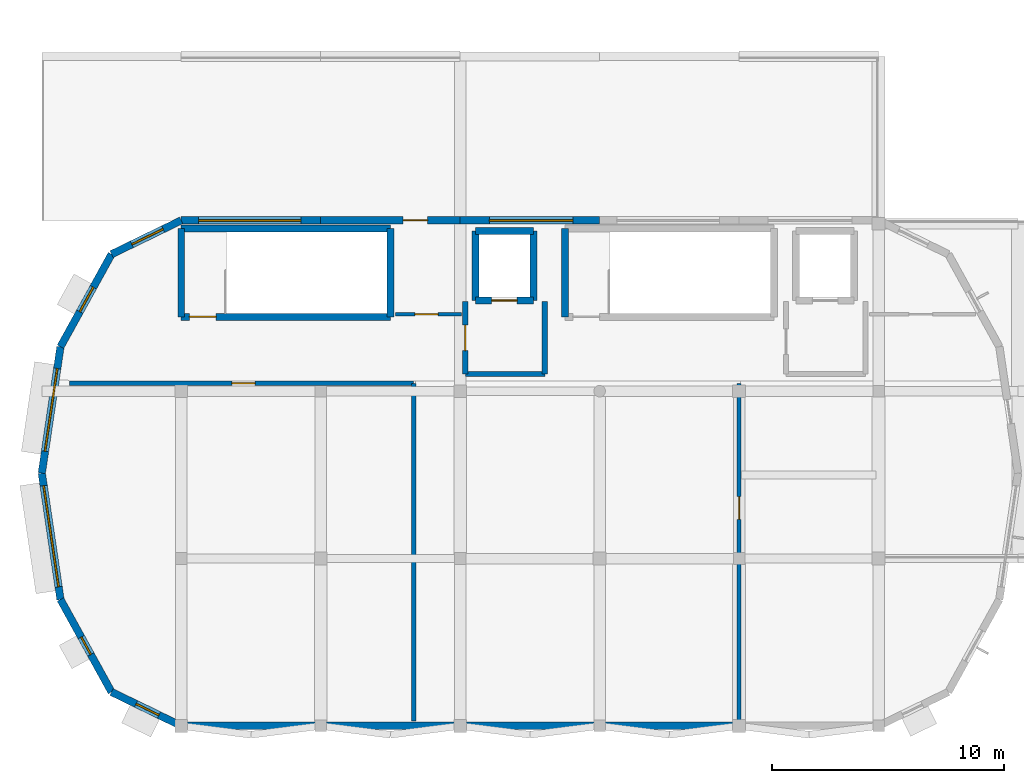
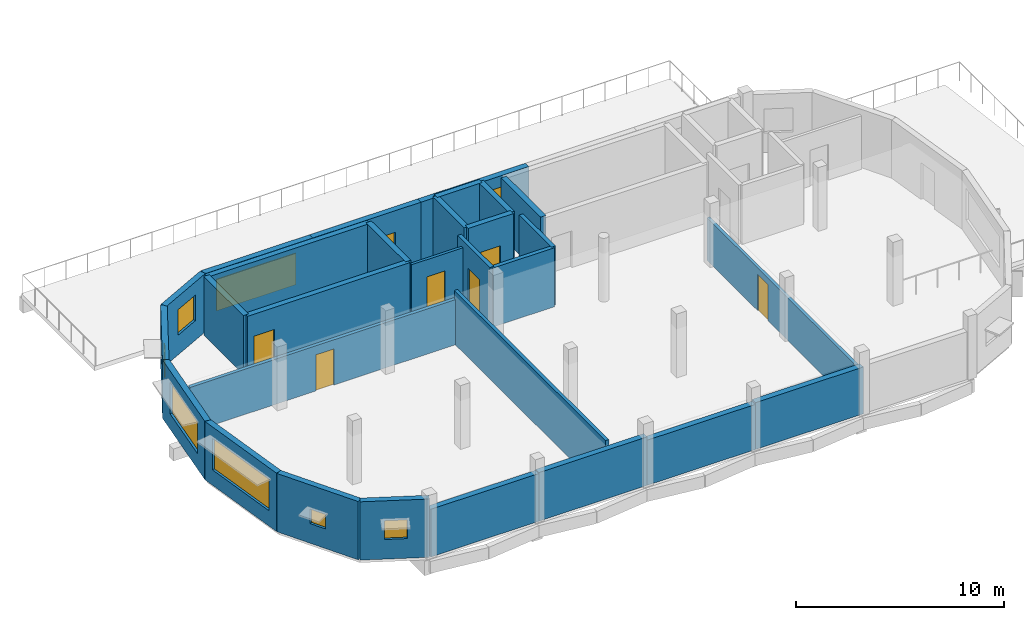
# One storey, part 2 of 4: 29 walls, 8 windows, 7 doors, 15 openings.
"""IFC4 building model written with IfcOpenShell, lengths in metres."""

from ifc_helpers import new_model, si_unit, direction, frame, frame_2d, origin, place, context, subcontext, project, spatial, rectangle, extrude, material, layer, layer_set, type_object, element, fill, save


model = new_model("IFC4")

# Units and contexts
model_context = context("Model", 3, precision=1e-05, world=origin(), true_north=direction((0.0, 1.0)))
body_context = subcontext(model_context, "Body", "Model", "MODEL_VIEW")
ifc_project = project(units=[si_unit("LENGTHUNIT", "METRE"), si_unit("AREAUNIT", "SQUARE_METRE"), si_unit("VOLUMEUNIT", "CUBIC_METRE"), si_unit("PLANEANGLEUNIT", "RADIAN"), si_unit("MASSUNIT", "GRAM", prefix="KILO")], contexts=[model_context])

# Site, building, storey
site_placement = place(None, origin())
site = spatial("IfcSite", under=ifc_project, at=site_placement, CompositionType="ELEMENT")
building_placement = place(site_placement, origin())
building = spatial("IfcBuilding", under=site, at=building_placement, Name="Dunvalen Ferry Terminal", CompositionType="ELEMENT")
storey_placement = place(building_placement, frame((0.0, 0.0, 17.320068359375)))
storey = spatial("IfcBuildingStorey", under=building, at=storey_placement, Name="L04", CompositionType="ELEMENT", Elevation=17.320068359375)

# Walls
ifc_material_1 = material(Name="Precast concrete C40/50", Category="concrete")
ifc_layer_1 = layer(ifc_material_1, 0.320068359375, Name="Precast concrete C40/50")
ifc_layer_set_1 = layer_set([ifc_layer_1], Name="Precast concrete C40/50")
wall_type_1 = type_object("IfcWallType", Name="ENV-WL-SPN320", PredefinedType="SOLIDWALL", material=ifc_layer_set_1)
wall_1_placement = place(storey_placement, frame((24.0, 0.0, 0.0), z_axis=(0.0, 0.0, 1.0), x_axis=(1.0, 0.0, 0.0)))
element("IfcWall", 1, at=wall_1_placement, inside=storey, type_object=wall_type_1, Name="L04 Streamline Moderne Facade Wall 01.01", PredefinedType="SOLIDWALL", context=body_context, shape_type="SweptSolid", body=[
    extrude(rectangle(XDim=6.0, YDim=0.320068359375, at=frame_2d((3.0, 0.0))), origin(), (0.0, 0.0, 1.0), 2.800048828125),
])
wall_2_placement = place(storey_placement, frame((30.0, 0.0, 0.0), z_axis=(0.0, 0.0, 1.0), x_axis=(1.0, 0.0, 0.0)))
element("IfcWall", 2, at=wall_2_placement, inside=storey, type_object=wall_type_1, Name="L04 Streamline Moderne Facade Wall 01.02", PredefinedType="SOLIDWALL", context=body_context, shape_type="SweptSolid", body=[
    extrude(rectangle(XDim=6.0, YDim=0.320068359375, at=frame_2d((3.0, 0.0))), origin(), (0.0, 0.0, 1.0), 2.849853515625),
])
wall_3_placement = place(storey_placement, frame((36.0, 0.0, 0.0), z_axis=(0.0, 0.0, 1.0), x_axis=(1.0, 0.0, 0.0)))
element("IfcWall", 3, at=wall_3_placement, inside=storey, type_object=wall_type_1, Name="L04 Streamline Moderne Facade Wall 01.03", PredefinedType="SOLIDWALL", context=body_context, shape_type="SweptSolid", body=[
    extrude(rectangle(XDim=6.0, YDim=0.320068359375, at=frame_2d((3.0, 0.0))), origin(), (0.0, 0.0, 1.0), 2.64990234375),
])
wall_4_placement = place(storey_placement, frame((42.0, 0.0, 0.0), z_axis=(0.0, 0.0, 1.0), x_axis=(1.0, 0.0, 0.0)))
element("IfcWall", 4, at=wall_4_placement, inside=storey, type_object=wall_type_1, Name="L04 Streamline Moderne Facade Wall 01.04", PredefinedType="SOLIDWALL", context=body_context, shape_type="SweptSolid", body=[
    extrude(rectangle(XDim=6.0, YDim=0.320068359375, at=frame_2d((3.0, 0.0))), origin(), (0.0, 0.0, 1.0), 2.75),
])

# Wall, opening, window
wall_5_placement = place(storey_placement, frame((42.0, 21.75, 0.0), z_axis=(0.0, 0.0, 1.0), x_axis=(-1.0, 0.0, 0.0)))
wall_5 = element("IfcWall", 5, at=wall_5_placement, inside=storey, type_object=wall_type_1, Name="L04 Streamline Moderne Facade Wall 08.03", PredefinedType="SOLIDWALL", context=body_context, shape_type="SweptSolid", body=[
    extrude(rectangle(XDim=6.0, YDim=0.320068359375, at=frame_2d((3.0, 0.0))), origin(), (0.0, 0.0, 1.0), 3.419921875),
])
opening_1_placement = place(wall_5_placement, frame((1.148193359375, 0.0, 0.89990234375)))
opening_1 = element("IfcOpeningElement", 6, at=opening_1_placement, cuts=wall_5, Name="Opening W-12", PredefinedType="OPENING", context=body_context, shape_type="SweptSolid", body=[
    extrude(rectangle(XDim=3.60009765625, YDim=1.85009765625, at=frame_2d((1.800048828125, 0.925048828125))), frame((0.0, 0.169921875, 0.0), z_axis=(0.0, -1.0, 0.0), x_axis=(1.0, 0.0, 0.0)), (0.0, 0.0, 1.0), 0.340087890625),
])
ifc_material_2 = material(Name="Thermally broken aluminium and double glazing", Category="aluminium")
window_type_1 = type_object("IfcWindowType", Name="ENV-WIN-VTS-12", PartitioningType="SINGLE_PANEL", PredefinedType="WINDOW", material=ifc_material_2)
window_1_placement = place(opening_1_placement, origin())
window_1 = element("IfcWindow", 7, at=window_1_placement, inside=storey, type_object=window_type_1, Name="L04 Streamline Ribbon Window 08.03", OverallHeight=1.85009765625, OverallWidth=3.60009765625, PartitioningType="SINGLE_PANEL", PredefinedType="WINDOW", context=body_context, shape_type="SweptSolid", body=[
    extrude(rectangle(XDim=3.60009765625, YDim=1.85009765625, at=frame_2d((1.800048828125, 0.925048828125))), frame((0.0, 0.030029296875, 0.0), z_axis=(0.0, -1.0, 0.0), x_axis=(1.0, 0.0, 0.0)), (0.0, 0.0, 1.0), 0.06005859375),
])
fill(opening_1, window_1)

# Wall, opening, door
wall_6_placement = place(storey_placement, frame((36.0, 21.75, 0.0), z_axis=(0.0, 0.0, 1.0), x_axis=(-1.0, 0.0, 0.0)))
wall_6 = element("IfcWall", 8, at=wall_6_placement, inside=storey, type_object=wall_type_1, Name="L04 Streamline Moderne Facade Wall 08.04", PredefinedType="SOLIDWALL", context=body_context, shape_type="SweptSolid", body=[
    extrude(rectangle(XDim=6.0, YDim=0.320068359375, at=frame_2d((3.0, 0.0))), origin(), (0.0, 0.0, 1.0), 3.419921875),
])
opening_2_placement = place(wall_6_placement, frame((1.39990234375, 0.0, 0.0)))
opening_2 = element("IfcOpeningElement", 9, at=opening_2_placement, cuts=wall_6, Name="Opening ED-07", PredefinedType="OPENING", context=body_context, shape_type="SweptSolid", body=[
    extrude(rectangle(XDim=1.050048828125, YDim=2.14990234375, at=frame_2d((0.52490234375, 1.074951171875))), frame((0.0, 0.169921875, 0.0), z_axis=(0.0, -1.0, 0.0), x_axis=(1.0, 0.0, 0.0)), (0.0, 0.0, 1.0), 0.340087890625),
])
ifc_material_3 = material(Name="Marine grade powder-coated aluminium and laminated glass", Category="aluminium")
door_type_1 = type_object("IfcDoorType", Name="ENV-DR-EXT-1050", OperationType="NOTDEFINED", PredefinedType="DOOR", material=ifc_material_3)
door_1_placement = place(opening_2_placement, frame((1.050048828125, 0.0, 0.0), z_axis=(0.0, 0.0, 1.0), x_axis=(-1.0, 0.0, 0.0)))
door_1 = element("IfcDoor", 10, at=door_1_placement, inside=storey, type_object=door_type_1, Name="L04 VTS Bridge Lookout Terrace Door 7.3", OperationType="SINGLE_SWING_LEFT", OverallHeight=2.14990234375, OverallWidth=1.050048828125, PredefinedType="DOOR", context=body_context, shape_type="SweptSolid", body=[
    extrude(rectangle(XDim=1.050048828125, YDim=2.14990234375, at=frame_2d((0.52490234375, 1.074951171875))), frame((0.0, 0.02490234375, 0.0), z_axis=(0.0, -1.0, 0.0), x_axis=(1.0, 0.0, 0.0)), (0.0, 0.0, 1.0), 0.050048828125),
])
fill(opening_2, door_1)

# Wall, opening, window
wall_7_placement = place(storey_placement, frame((30.0, 21.75, 0.0), z_axis=(0.0, 0.0, 1.0), x_axis=(-1.0, 0.0, 0.0)))
wall_7 = element("IfcWall", 11, at=wall_7_placement, inside=storey, type_object=wall_type_1, Name="L04 Streamline Moderne Facade Wall 08.05", PredefinedType="SOLIDWALL", context=body_context, shape_type="SweptSolid", body=[
    extrude(rectangle(XDim=6.0, YDim=0.320068359375, at=frame_2d((3.0, 0.0))), origin(), (0.0, 0.0, 1.0), 3.419921875),
])
opening_3_placement = place(wall_7_placement, frame((0.853271484375, 0.0, 0.89990234375)))
opening_3 = element("IfcOpeningElement", 12, at=opening_3_placement, cuts=wall_7, Name="Opening W-11", PredefinedType="OPENING", context=body_context, shape_type="SweptSolid", body=[
    extrude(rectangle(XDim=4.39990234375, YDim=1.85009765625, at=frame_2d((2.199951171875, 0.925048828125))), frame((0.0, 0.169921875, 0.0), z_axis=(0.0, -1.0, 0.0), x_axis=(1.0, 0.0, 0.0)), (0.0, 0.0, 1.0), 0.340087890625),
])
window_type_2 = type_object("IfcWindowType", Name="ENV-WIN-VTS-11", PartitioningType="SINGLE_PANEL", PredefinedType="WINDOW", material=ifc_material_2)
window_2_placement = place(opening_3_placement, origin())
window_2 = element("IfcWindow", 13, at=window_2_placement, inside=storey, type_object=window_type_2, Name="L04 Streamline Ribbon Window 08.05", OverallHeight=1.85009765625, OverallWidth=4.39990234375, PartitioningType="SINGLE_PANEL", PredefinedType="WINDOW", context=body_context, shape_type="SweptSolid", body=[
    extrude(rectangle(XDim=4.39990234375, YDim=1.85009765625, at=frame_2d((2.199951171875, 0.925048828125))), frame((0.0, 0.030029296875, 0.0), z_axis=(0.0, -1.0, 0.0), x_axis=(1.0, 0.0, 0.0)), (0.0, 0.0, 1.0), 0.06005859375),
])
fill(opening_3, window_2)

wall_8_placement = place(storey_placement, frame((24.0, 21.75, 0.0), z_axis=(0.0, 0.0, 1.0), x_axis=(-0.899521309608, -0.436876886046, 0.0)))
wall_8 = element("IfcWall", 14, at=wall_8_placement, inside=storey, type_object=wall_type_1, Name="L04 Streamline Moderne Facade Wall 09.01", PredefinedType="SOLIDWALL", context=body_context, shape_type="SweptSolid", body=[
    extrude(rectangle(XDim=3.335205078125, YDim=0.320068359375, at=frame_2d((1.66748046875, 0.0))), origin(), (0.0, 0.0, 1.0), 3.419921875),
])
opening_4_placement = place(wall_8_placement, frame((0.86328125, 0.0, 1.14990234375)))
opening_4 = element("IfcOpeningElement", 15, at=opening_4_placement, cuts=wall_8, Name="Opening W-44", PredefinedType="OPENING", context=body_context, shape_type="SweptSolid", body=[
    extrude(rectangle(XDim=1.5, YDim=1.5, at=frame_2d((0.75, 0.75))), frame((0.0, 0.169921875, 0.0), z_axis=(0.0, -1.0, 0.0), x_axis=(1.0, 0.0, 0.0)), (0.0, 0.0, 1.0), 0.340087890625),
])
window_type_3 = type_object("IfcWindowType", Name="ENV-WIN-PRT-44", PartitioningType="SINGLE_PANEL", PredefinedType="WINDOW", material=ifc_material_2)
window_3_placement = place(opening_4_placement, origin())
window_3 = element("IfcWindow", 16, at=window_3_placement, inside=storey, type_object=window_type_3, Name="L04 Streamline Ribbon Window 09.01", OverallHeight=1.5, OverallWidth=1.5, PartitioningType="SINGLE_PANEL", PredefinedType="WINDOW", context=body_context, shape_type="SweptSolid", body=[
    extrude(rectangle(XDim=1.5, YDim=1.5, at=frame_2d((0.75, 0.75))), frame((0.0, 0.030029296875, 0.0), z_axis=(0.0, -1.0, 0.0), x_axis=(1.0, 0.0, 0.0)), (0.0, 0.0, 1.0), 0.06005859375),
])
fill(opening_4, window_3)

wall_9_placement = place(storey_placement, frame((21.0, 20.29296875, 0.0), z_axis=(0.0, 0.0, 1.0), x_axis=(-0.483105735842, -0.875562018361, 0.0)))
wall_9 = element("IfcWall", 17, at=wall_9_placement, inside=storey, type_object=wall_type_1, Name="L04 Streamline Moderne Facade Wall 10.01", PredefinedType="SOLIDWALL", context=body_context, shape_type="SweptSolid", body=[
    extrude(rectangle(XDim=4.546142578125, YDim=0.320068359375, at=frame_2d((2.27294921875, 0.0))), origin(), (0.0, 0.0, 1.0), 3.419921875),
])
opening_5_placement = place(wall_9_placement, frame((1.623046875, 0.0, 1.14990234375)))
opening_5 = element("IfcOpeningElement", 18, at=opening_5_placement, cuts=wall_9, Name="Opening W-17", PredefinedType="OPENING", context=body_context, shape_type="SweptSolid", body=[
    extrude(rectangle(XDim=1.199951171875, YDim=1.199951171875, at=frame_2d((0.60009765625, 0.60009765625))), frame((0.0, 0.169921875, 0.0), z_axis=(0.0, -1.0, 0.0), x_axis=(1.0, 0.0, 0.0)), (0.0, 0.0, 1.0), 0.340087890625),
])
window_type_4 = type_object("IfcWindowType", Name="ENV-WIN-PRT-17", PartitioningType="SINGLE_PANEL", PredefinedType="WINDOW", material=ifc_material_2)
window_4_placement = place(opening_5_placement, origin())
window_4 = element("IfcWindow", 19, at=window_4_placement, inside=storey, type_object=window_type_4, Name="L04 Streamline Ribbon Window 10.01", OverallHeight=1.199951171875, OverallWidth=1.199951171875, PartitioningType="SINGLE_PANEL", PredefinedType="WINDOW", context=body_context, shape_type="SweptSolid", body=[
    extrude(rectangle(XDim=1.199951171875, YDim=1.199951171875, at=frame_2d((0.60009765625, 0.60009765625))), frame((0.0, 0.030029296875, 0.0), z_axis=(0.0, -1.0, 0.0), x_axis=(1.0, 0.0, 0.0)), (0.0, 0.0, 1.0), 0.06005859375),
])
fill(opening_5, window_4)

wall_10_placement = place(storey_placement, frame((18.8037109375, 16.3125, 0.0), z_axis=(0.0, 0.0, 1.0), x_axis=(-0.146220266432, -0.98925205771, 0.0)))
wall_10 = element("IfcWall", 20, at=wall_10_placement, inside=storey, type_object=wall_type_1, Name="L04 Streamline Moderne Facade Wall 11.01", PredefinedType="SOLIDWALL", context=body_context, shape_type="SweptSolid", body=[
    extrude(rectangle(XDim=5.49658203125, YDim=0.320068359375, at=frame_2d((2.748291015625, 0.0))), origin(), (0.0, 0.0, 1.0), 3.419921875),
])
opening_6_placement = place(wall_10_placement, frame((0.9482421875, 0.0, 0.89990234375)))
opening_6 = element("IfcOpeningElement", 21, at=opening_6_placement, cuts=wall_10, Name="Opening W-12", PredefinedType="OPENING", context=body_context, shape_type="SweptSolid", body=[
    extrude(rectangle(XDim=3.60009765625, YDim=1.85009765625, at=frame_2d((1.800048828125, 0.925048828125))), frame((0.0, 0.169921875, 0.0), z_axis=(0.0, -1.0, 0.0), x_axis=(1.0, 0.0, 0.0)), (0.0, 0.0, 1.0), 0.340087890625),
])
window_5_placement = place(opening_6_placement, origin())
window_5 = element("IfcWindow", 22, at=window_5_placement, inside=storey, type_object=window_type_1, Name="L04 Streamline Ribbon Window 11.01", OverallHeight=1.85009765625, OverallWidth=3.60009765625, PartitioningType="SINGLE_PANEL", PredefinedType="WINDOW", context=body_context, shape_type="SweptSolid", body=[
    extrude(rectangle(XDim=3.60009765625, YDim=1.85009765625, at=frame_2d((1.800048828125, 0.925048828125))), frame((0.0, 0.030029296875, 0.0), z_axis=(0.0, -1.0, 0.0), x_axis=(1.0, 0.0, 0.0)), (0.0, 0.0, 1.0), 0.06005859375),
])
fill(opening_6, window_5)

wall_11_placement = place(storey_placement, frame((18.0, 10.875, 0.0), z_axis=(0.0, 0.0, 1.0), x_axis=(0.146220266432, -0.98925205771, 0.0)))
wall_11 = element("IfcWall", 23, at=wall_11_placement, inside=storey, type_object=wall_type_1, Name="L04 Streamline Moderne Facade Wall 12.01", PredefinedType="SOLIDWALL", context=body_context, shape_type="SweptSolid", body=[
    extrude(rectangle(XDim=5.49658203125, YDim=0.320068359375, at=frame_2d((2.748291015625, 0.0))), origin(), (0.0, 0.0, 1.0), 3.419921875),
])
opening_7_placement = place(wall_11_placement, frame((0.54833984375, 0.0, 0.89990234375)))
opening_7 = element("IfcOpeningElement", 24, at=opening_7_placement, cuts=wall_11, Name="Opening W-11", PredefinedType="OPENING", context=body_context, shape_type="SweptSolid", body=[
    extrude(rectangle(XDim=4.39990234375, YDim=1.85009765625, at=frame_2d((2.199951171875, 0.925048828125))), frame((0.0, 0.169921875, 0.0), z_axis=(0.0, -1.0, 0.0), x_axis=(1.0, 0.0, 0.0)), (0.0, 0.0, 1.0), 0.340087890625),
])
window_6_placement = place(opening_7_placement, origin())
window_6 = element("IfcWindow", 25, at=window_6_placement, inside=storey, type_object=window_type_2, Name="L04 Streamline Ribbon Window 12.01", OverallHeight=1.85009765625, OverallWidth=4.39990234375, PartitioningType="SINGLE_PANEL", PredefinedType="WINDOW", context=body_context, shape_type="SweptSolid", body=[
    extrude(rectangle(XDim=4.39990234375, YDim=1.85009765625, at=frame_2d((2.199951171875, 0.925048828125))), frame((0.0, 0.030029296875, 0.0), z_axis=(0.0, -1.0, 0.0), x_axis=(1.0, 0.0, 0.0)), (0.0, 0.0, 1.0), 0.06005859375),
])
fill(opening_7, window_6)

wall_12_placement = place(storey_placement, frame((18.8037109375, 5.4375, 0.0), z_axis=(0.0, 0.0, 1.0), x_axis=(0.483105735842, -0.875562018361, 0.0)))
wall_12 = element("IfcWall", 26, at=wall_12_placement, inside=storey, type_object=wall_type_1, Name="L04 Streamline Moderne Facade Wall 13.01", PredefinedType="SOLIDWALL", context=body_context, shape_type="SweptSolid", body=[
    extrude(rectangle(XDim=4.546142578125, YDim=0.320068359375, at=frame_2d((2.27294921875, 0.0))), origin(), (0.0, 0.0, 1.0), 3.419921875),
])
opening_8_placement = place(wall_12_placement, frame((1.84814453125, 0.0, 1.14990234375)))
opening_8 = element("IfcOpeningElement", 27, at=opening_8_placement, cuts=wall_12, Name="Opening W-20", PredefinedType="OPENING", context=body_context, shape_type="SweptSolid", body=[
    extrude(rectangle(XDim=0.85009765625, YDim=0.85009765625, at=frame_2d((0.425048828125, 0.425048828125))), frame((0.0, 0.169921875, 0.0), z_axis=(0.0, -1.0, 0.0), x_axis=(1.0, 0.0, 0.0)), (0.0, 0.0, 1.0), 0.340087890625),
])
window_type_5 = type_object("IfcWindowType", Name="ENV-WIN-PRT-20", PartitioningType="SINGLE_PANEL", PredefinedType="WINDOW", material=ifc_material_2)
window_7_placement = place(opening_8_placement, origin())
window_7 = element("IfcWindow", 28, at=window_7_placement, inside=storey, type_object=window_type_5, Name="L04 Streamline Ribbon Window 13.01", OverallHeight=0.85009765625, OverallWidth=0.85009765625, PartitioningType="SINGLE_PANEL", PredefinedType="WINDOW", context=body_context, shape_type="SweptSolid", body=[
    extrude(rectangle(XDim=0.85009765625, YDim=0.85009765625, at=frame_2d((0.425048828125, 0.425048828125))), frame((0.0, 0.030029296875, 0.0), z_axis=(0.0, -1.0, 0.0), x_axis=(1.0, 0.0, 0.0)), (0.0, 0.0, 1.0), 0.06005859375),
])
fill(opening_8, window_7)

wall_13_placement = place(storey_placement, frame((21.0, 1.45703125, 0.0), z_axis=(0.0, 0.0, 1.0), x_axis=(0.899521309608, -0.436876886046, 0.0)))
wall_13 = element("IfcWall", 29, at=wall_13_placement, inside=storey, type_object=wall_type_1, Name="L04 Streamline Moderne Facade Wall 14.01", PredefinedType="SOLIDWALL", context=body_context, shape_type="SweptSolid", body=[
    extrude(rectangle(XDim=3.335205078125, YDim=0.320068359375, at=frame_2d((1.66748046875, 0.0))), origin(), (0.0, 0.0, 1.0), 3.419921875),
])
opening_9_placement = place(wall_13_placement, frame((1.170654296875, 0.0, 1.14990234375)))
opening_9 = element("IfcOpeningElement", 30, at=opening_9_placement, cuts=wall_13, Name="Opening W-41", PredefinedType="OPENING", context=body_context, shape_type="SweptSolid", body=[
    extrude(rectangle(XDim=1.10009765625, YDim=1.10009765625, at=frame_2d((0.550048828125, 0.550048828125))), frame((0.0, 0.169921875, 0.0), z_axis=(0.0, -1.0, 0.0), x_axis=(1.0, 0.0, 0.0)), (0.0, 0.0, 1.0), 0.340087890625),
])
window_type_6 = type_object("IfcWindowType", Name="ENV-WIN-PRT-41", PartitioningType="SINGLE_PANEL", PredefinedType="WINDOW", material=ifc_material_2)
window_8_placement = place(opening_9_placement, origin())
window_8 = element("IfcWindow", 31, at=window_8_placement, inside=storey, type_object=window_type_6, Name="L04 Streamline Ribbon Window 14.01", OverallHeight=1.10009765625, OverallWidth=1.10009765625, PartitioningType="SINGLE_PANEL", PredefinedType="WINDOW", context=body_context, shape_type="SweptSolid", body=[
    extrude(rectangle(XDim=1.10009765625, YDim=1.10009765625, at=frame_2d((0.550048828125, 0.550048828125))), frame((0.0, 0.030029296875, 0.0), z_axis=(0.0, -1.0, 0.0), x_axis=(1.0, 0.0, 0.0)), (0.0, 0.0, 1.0), 0.06005859375),
])
fill(opening_9, window_8)

# Wall
ifc_material_4 = material(Name="Concrete C35/45", Category="concrete")
ifc_layer_2 = layer(ifc_material_4, 0.219970703125, Name="Concrete C35/45")
ifc_layer_set_2 = layer_set([ifc_layer_2], Name="Concrete C35/45")
wall_type_2 = type_object("IfcWallType", Name="INT-WL-CMP220", PredefinedType="SOLIDWALL", material=ifc_layer_set_2)
wall_14_placement = place(storey_placement, frame((39.639892578125, 15.139892578125, 0.0), z_axis=(0.0, 0.0, 1.0), x_axis=(0.0, 1.0, 0.0)))
element("IfcWall", 32, at=wall_14_placement, inside=storey, type_object=wall_type_2, Name="L04 L04 Firefighting Lift Lobby LF-01 Partition 1", PredefinedType="SOLIDWALL", context=body_context, shape_type="SweptSolid", body=[
    extrude(rectangle(XDim=3.110107421875, YDim=0.219970703125, at=frame_2d((1.55517578125, 0.0))), origin(), (0.0, 0.0, 1.0), 3.4599609375),
])

# Wall, opening, door
wall_15_placement = place(storey_placement, frame((36.219970703125, 18.25, 0.0), z_axis=(0.0, 0.0, 1.0), x_axis=(0.0, -1.0, 0.0)))
wall_15 = element("IfcWall", 33, at=wall_15_placement, inside=storey, type_object=wall_type_2, Name="L04 L04 Firefighting Lift Lobby LF-01 Partition 9", PredefinedType="SOLIDWALL", context=body_context, shape_type="SweptSolid", body=[
    extrude(rectangle(XDim=3.110107421875, YDim=0.219970703125, at=frame_2d((1.55517578125, 0.0))), origin(), (0.0, 0.0, 1.0), 3.4599609375),
])
opening_10_placement = place(wall_15_placement, frame((1.0048828125, 0.0, 0.0)))
opening_10 = element("IfcOpeningElement", 34, at=opening_10_placement, cuts=wall_15, Name="Opening ID-03", PredefinedType="OPENING", context=body_context, shape_type="SweptSolid", body=[
    extrude(rectangle(XDim=1.10009765625, YDim=2.14990234375, at=frame_2d((0.550048828125, 1.074951171875))), frame((0.0, 0.1201171875, 0.0), z_axis=(0.0, -1.0, 0.0), x_axis=(1.0, 0.0, 0.0)), (0.0, 0.0, 1.0), 0.239990234375),
])
ifc_material_5 = material(Name="Powder-coated steel fire door", Category="steel")
door_type_2 = type_object("IfcDoorType", Name="INT-DR-FFL-1100", OperationType="NOTDEFINED", PredefinedType="DOOR", material=ifc_material_5)
door_2_placement = place(opening_10_placement, origin())
door_2 = element("IfcDoor", 35, at=door_2_placement, inside=storey, type_object=door_type_2, Name="L04 Firefighting Lift Lobby LF-01 Door", OperationType="SINGLE_SWING_LEFT", OverallHeight=2.14990234375, OverallWidth=1.10009765625, PredefinedType="DOOR", context=body_context, shape_type="SweptSolid", body=[
    extrude(rectangle(XDim=1.10009765625, YDim=2.14990234375, at=frame_2d((0.550048828125, 1.074951171875))), frame((0.0, 0.02490234375, 0.0), z_axis=(0.0, -1.0, 0.0), x_axis=(1.0, 0.0, 0.0)), (0.0, 0.0, 1.0), 0.050048828125),
])
fill(opening_10, door_2)

# Wall
wall_16_placement = place(storey_placement, frame((36.219970703125, 15.139892578125, 0.0), z_axis=(0.0, 0.0, 1.0), x_axis=(1.0, 0.0, 0.0)))
element("IfcWall", 36, at=wall_16_placement, inside=storey, type_object=wall_type_2, Name="L04 L04 Firefighting Lift Lobby LF-01 Partition 10", PredefinedType="SOLIDWALL", context=body_context, shape_type="SweptSolid", body=[
    extrude(rectangle(XDim=3.419921875, YDim=0.219970703125, at=frame_2d((1.7099609375, 0.0))), origin(), (0.0, 0.0, 1.0), 3.4599609375),
])

# Wall, opening, door
ifc_material_6 = material(Name="Metal-stud acoustic gypsum partition", Category="gypsum")
ifc_layer_3 = layer(ifc_material_6, 0.14990234375, Name="Metal-stud acoustic gypsum partition")
ifc_layer_set_3 = layer_set([ifc_layer_3], Name="Metal-stud acoustic gypsum partition")
wall_type_3 = type_object("IfcWallType", Name="INT-WL-PRT150", PredefinedType="PARTITIONING", material=ifc_layer_set_3)
wall_17_placement = place(storey_placement, frame((33.2099609375, 17.7099609375, 0.0), z_axis=(0.0, 0.0, 1.0), x_axis=(1.0, 0.0, 0.0)))
wall_17 = element("IfcWall", 37, at=wall_17_placement, inside=storey, type_object=wall_type_3, Name="L04 L04 Harbourmaster North Watch Lounge Partition 3", PredefinedType="PARTITIONING", context=body_context, shape_type="SweptSolid", body=[
    extrude(rectangle(XDim=2.85009765625, YDim=0.14990234375, at=frame_2d((1.425048828125, 0.0))), origin(), (0.0, 0.0, 1.0), 3.1298828125),
])
opening_11_placement = place(wall_17_placement, frame((0.84130859375, 0.0, 0.0)))
opening_11 = element("IfcOpeningElement", 38, at=opening_11_placement, cuts=wall_17, Name="Opening ID-10", PredefinedType="OPENING", context=body_context, shape_type="SweptSolid", body=[
    extrude(rectangle(XDim=1.0, YDim=2.1201171875, at=frame_2d((0.5, 1.06005859375))), frame((0.0, 0.0849609375, 0.0), z_axis=(0.0, -1.0, 0.0), x_axis=(1.0, 0.0, 0.0)), (0.0, 0.0, 1.0), 0.169921875),
])
ifc_material_7 = material(Name="FSC European oak acoustic fire door", Category="wood")
door_type_3 = type_object("IfcDoorType", Name="INT-DR-OFF-1000", OperationType="NOTDEFINED", PredefinedType="DOOR", material=ifc_material_7)
door_3_placement = place(opening_11_placement, origin())
door_3 = element("IfcDoor", 39, at=door_3_placement, inside=storey, type_object=door_type_3, Name="L04 Harbourmaster North Watch Lounge Door", OperationType="SINGLE_SWING_RIGHT", OverallHeight=2.1201171875, OverallWidth=1.0, PredefinedType="DOOR", context=body_context, shape_type="SweptSolid", body=[
    extrude(rectangle(XDim=1.0, YDim=2.1201171875, at=frame_2d((0.5, 1.06005859375))), frame((0.0, 0.02490234375, 0.0), z_axis=(0.0, -1.0, 0.0), x_axis=(1.0, 0.0, 0.0)), (0.0, 0.0, 1.0), 0.050048828125),
])
fill(opening_11, door_3)

ifc_material_8 = material(Name="Moisture-resistant tile-backer partition", Category="gypsum")
ifc_layer_4 = layer(ifc_material_8, 0.159912109375, Name="Moisture-resistant tile-backer partition")
ifc_layer_set_4 = layer_set([ifc_layer_4], Name="Moisture-resistant tile-backer partition")
wall_type_4 = type_object("IfcWallType", Name="INT-WL-PRT160", PredefinedType="PARTITIONING", material=ifc_layer_set_4)
wall_18_placement = place(storey_placement, frame((48.0, 0.219970703125, 0.0), z_axis=(0.0, 0.0, 1.0), x_axis=(0.0, 1.0, 0.0)))
wall_18 = element("IfcWall", 40, at=wall_18_placement, inside=storey, type_object=wall_type_4, Name="L04 L04 Vessel Traffic Services Navigation Bridge Partition 3", PredefinedType="PARTITIONING", context=body_context, shape_type="SweptSolid", body=[
    extrude(rectangle(XDim=14.52001953125, YDim=0.159912109375, at=frame_2d((7.260009765625, 0.0))), origin(), (0.0, 0.0, 1.0), 2.5),
])
opening_12_placement = place(wall_18_placement, frame((8.6611328125, 0.0, 0.0)))
opening_12 = element("IfcOpeningElement", 41, at=opening_12_placement, cuts=wall_18, Name="Opening ID-11", PredefinedType="OPENING", context=body_context, shape_type="SweptSolid", body=[
    extrude(rectangle(XDim=0.97998046875, YDim=2.1201171875, at=frame_2d((0.489990234375, 1.06005859375))), frame((0.0, 0.08984375, 0.0), z_axis=(0.0, -1.0, 0.0), x_axis=(1.0, 0.0, 0.0)), (0.0, 0.0, 1.0), 0.179931640625),
])
door_type_4 = type_object("IfcDoorType", Name="INT-DR-OFF-0980", OperationType="NOTDEFINED", PredefinedType="DOOR", material=ifc_material_7)
door_4_placement = place(opening_12_placement, origin())
door_4 = element("IfcDoor", 42, at=door_4_placement, inside=storey, type_object=door_type_4, Name="L04 Vessel Traffic Services Navigation Bridge Door", OperationType="SINGLE_SWING_LEFT", OverallHeight=2.1201171875, OverallWidth=0.97998046875, PredefinedType="DOOR", context=body_context, shape_type="SweptSolid", body=[
    extrude(rectangle(XDim=0.97998046875, YDim=2.1201171875, at=frame_2d((0.489990234375, 1.06005859375))), frame((0.0, 0.02490234375, 0.0), z_axis=(0.0, -1.0, 0.0), x_axis=(1.0, 0.0, 0.0)), (0.0, 0.0, 1.0), 0.050048828125),
])
fill(opening_12, door_4)

# Wall
ifc_material_9 = material(Name="Twin-frame acoustic gypsum partition", Category="gypsum")
ifc_layer_5 = layer(ifc_material_9, 0.18505859375, Name="Twin-frame acoustic gypsum partition")
ifc_layer_set_5 = layer_set([ifc_layer_5], Name="Twin-frame acoustic gypsum partition")
wall_type_5 = type_object("IfcWallType", Name="INT-WL-PRT185", PredefinedType="PARTITIONING", material=ifc_layer_set_5)
wall_19_placement = place(storey_placement, frame((34.0, 0.219970703125, 0.0), z_axis=(0.0, 0.0, 1.0), x_axis=(0.0, 1.0, 0.0)))
element("IfcWall", 43, at=wall_19_placement, inside=storey, type_object=wall_type_5, Name="L04 L04 Harbourmaster Office and Chart Conference Suite Partition 6", PredefinedType="PARTITIONING", context=body_context, shape_type="SweptSolid", body=[
    extrude(rectangle(XDim=14.52001953125, YDim=0.18505859375, at=frame_2d((7.260009765625, 0.0))), origin(), (0.0, 0.0, 1.0), 3.1298828125),
])

# Wall, opening, door
wall_20_placement = place(storey_placement, frame((34.0, 14.739990234375, 0.0), z_axis=(0.0, 0.0, 1.0), x_axis=(-1.0, 0.0, 0.0)))
wall_20 = element("IfcWall", 44, at=wall_20_placement, inside=storey, type_object=wall_type_5, Name="L04 L04 Harbourmaster Office and Chart Conference Suite Partition 7", PredefinedType="PARTITIONING", context=body_context, shape_type="SweptSolid", body=[
    extrude(rectangle(XDim=14.800048828125, YDim=0.18505859375, at=frame_2d((7.39990234375, 0.0))), origin(), (0.0, 0.0, 1.0), 2.64990234375),
])
opening_13_placement = place(wall_20_placement, frame((6.82470703125, 0.0, 0.0)))
opening_13 = element("IfcOpeningElement", 45, at=opening_13_placement, cuts=wall_20, Name="Opening ID-10", PredefinedType="OPENING", context=body_context, shape_type="SweptSolid", body=[
    extrude(rectangle(XDim=1.0, YDim=2.1201171875, at=frame_2d((0.5, 1.06005859375))), frame((0.0, 0.1025390625, 0.0), z_axis=(0.0, -1.0, 0.0), x_axis=(1.0, 0.0, 0.0)), (0.0, 0.0, 1.0), 0.205078125),
])
door_5_placement = place(opening_13_placement, origin())
door_5 = element("IfcDoor", 46, at=door_5_placement, inside=storey, type_object=door_type_3, Name="L04 Harbourmaster Office and Chart Conference Suite Door", OperationType="SINGLE_SWING_RIGHT", OverallHeight=2.1201171875, OverallWidth=1.0, PredefinedType="DOOR", context=body_context, shape_type="SweptSolid", body=[
    extrude(rectangle(XDim=1.0, YDim=2.1201171875, at=frame_2d((0.5, 1.06005859375))), frame((0.0, 0.02490234375, 0.0), z_axis=(0.0, -1.0, 0.0), x_axis=(1.0, 0.0, 0.0)), (0.0, 0.0, 1.0), 0.050048828125),
])
fill(opening_13, door_5)

# Walls
ifc_material_10 = material(Name="Concrete C40/50", Category="concrete")
ifc_layer_6 = layer(ifc_material_10, 0.300048828125, Name="Concrete C40/50")
ifc_layer_set_6 = layer_set([ifc_layer_6], Name="Concrete C40/50")
wall_type_6 = type_object("IfcWallType", Name="STR-WL-SHR300", PredefinedType="SHEAR", material=ifc_layer_set_6)
for number, where, z_axis, x_axis, name in (
    (47, (24.0, 17.60009765625, 0.0), (0.0, 0.0, 1.0), (0.0, 1.0, 0.0), "L04 ST1 Core West Shear Wall"),
    (48, (33.0, 17.60009765625, 0.0), (0.0, 0.0, 1.0), (0.0, 1.0, 0.0), "L04 ST1 Core East Shear Wall"),
    (49, (40.5, 17.60009765625, 0.0), (0.0, 0.0, 1.0), (0.0, 1.0, 0.0), "L04 ST2 Core West Shear Wall"),
):
    element("IfcWall", number, at=place(storey_placement, frame(where, z_axis=z_axis, x_axis=x_axis)), inside=storey, type_object=wall_type_6, Name=name, PredefinedType="SHEAR", context=body_context, shape_type="SweptSolid", body=[
        extrude(rectangle(XDim=3.7998046875, YDim=0.300048828125, at=frame_2d((1.89990234375, 0.0))), origin(), (0.0, 0.0, 1.0), 3.43994140625),
    ])
wall_21_placement = place(storey_placement, frame((24.0, 21.39990234375, 0.0), z_axis=(0.0, 0.0, 1.0), x_axis=(1.0, 0.0, 0.0)))
element("IfcWall", 50, at=wall_21_placement, inside=storey, type_object=wall_type_6, Name="L04 ST1 Core North Shear Wall", PredefinedType="SHEAR", context=body_context, shape_type="SweptSolid", body=[
    extrude(rectangle(XDim=9.0, YDim=0.300048828125, at=frame_2d((4.5, 0.0))), origin(), (0.0, 0.0, 1.0), 3.43994140625),
])

# Wall, opening, door
wall_22_placement = place(storey_placement, frame((24.0, 17.60009765625, 0.0), z_axis=(0.0, 0.0, 1.0), x_axis=(1.0, 0.0, 0.0)))
wall_22 = element("IfcWall", 51, at=wall_22_placement, inside=storey, type_object=wall_type_6, Name="L04 ST1 Core South Shear Wall", PredefinedType="SHEAR", context=body_context, shape_type="SweptSolid", body=[
    extrude(rectangle(XDim=9.0, YDim=0.300048828125, at=frame_2d((4.5, 0.0))), origin(), (0.0, 0.0, 1.0), 3.43994140625),
])
opening_14_placement = place(wall_22_placement, frame((0.35009765625, 0.0, 0.0)))
opening_14 = element("IfcOpeningElement", 52, at=opening_14_placement, cuts=wall_22, Name="Opening ID-02", PredefinedType="OPENING", context=body_context, shape_type="SweptSolid", body=[
    extrude(rectangle(XDim=1.14990234375, YDim=2.14990234375, at=frame_2d((0.574951171875, 1.074951171875))), frame((0.0, 0.16015625, 0.0), z_axis=(0.0, -1.0, 0.0), x_axis=(1.0, 0.0, 0.0)), (0.0, 0.0, 1.0), 0.320068359375),
])
door_type_5 = type_object("IfcDoorType", Name="INT-DR-STR-1150", OperationType="NOTDEFINED", PredefinedType="DOOR", material=ifc_material_5)
door_6_placement = place(opening_14_placement, frame((1.14990234375, 0.0, 0.0), z_axis=(0.0, 0.0, 1.0), x_axis=(-1.0, 0.0, 0.0)))
door_6 = element("IfcDoor", 53, at=door_6_placement, inside=storey, type_object=door_type_5, Name="L04 ST1 Escape Stair Fire Door", OperationType="SINGLE_SWING_RIGHT", OverallHeight=2.14990234375, OverallWidth=1.14990234375, PredefinedType="DOOR", context=body_context, shape_type="SweptSolid", body=[
    extrude(rectangle(XDim=1.14990234375, YDim=2.14990234375, at=frame_2d((0.574951171875, 1.074951171875))), frame((0.0, 0.02490234375, 0.0), z_axis=(0.0, -1.0, 0.0), x_axis=(1.0, 0.0, 0.0)), (0.0, 0.0, 1.0), 0.050048828125),
])
fill(opening_14, door_6)

wall_23_placement = place(storey_placement, frame((36.64990234375, 18.300048828125, 0.0), z_axis=(0.0, 0.0, 1.0), x_axis=(1.0, 0.0, 0.0)))
wall_23 = element("IfcWall", 54, at=wall_23_placement, inside=storey, type_object=wall_type_6, Name="L04 LF-01 Lift Shaft S Wall", PredefinedType="SHEAR", context=body_context, shape_type="SweptSolid", body=[
    extrude(rectangle(XDim=2.5, YDim=0.300048828125, at=frame_2d((1.25, 0.0))), origin(), (0.0, 0.0, 1.0), 3.739990234375),
])
opening_15_placement = place(wall_23_placement, frame((0.699951171875, 0.0, 0.0)))
opening_15 = element("IfcOpeningElement", 55, at=opening_15_placement, cuts=wall_23, Name="Opening LD-01", PredefinedType="OPENING", context=body_context, shape_type="SweptSolid", body=[
    extrude(rectangle(XDim=1.10009765625, YDim=2.10009765625, at=frame_2d((0.550048828125, 1.050048828125))), frame((0.0, 0.16015625, 0.0), z_axis=(0.0, -1.0, 0.0), x_axis=(1.0, 0.0, 0.0)), (0.0, 0.0, 1.0), 0.320068359375),
])
ifc_material_11 = material(Name="Brushed 316 stainless steel", Category="steel")
door_type_6 = type_object("IfcDoorType", Name="INT-DR-LFT-1100", OperationType="SLIDING_TO_LEFT", PredefinedType="DOOR", material=ifc_material_11)
door_7_placement = place(opening_15_placement, origin())
door_7 = element("IfcDoor", 56, at=door_7_placement, inside=storey, type_object=door_type_6, Name="L04 LF-01 Lift Sliding Landing Door", OperationType="SLIDING_TO_LEFT", OverallHeight=2.10009765625, OverallWidth=1.10009765625, PredefinedType="DOOR", context=body_context, shape_type="SweptSolid", body=[
    extrude(rectangle(XDim=1.10009765625, YDim=2.10009765625, at=frame_2d((0.550048828125, 1.050048828125))), frame((0.0, 0.02490234375, 0.0), z_axis=(0.0, -1.0, 0.0), x_axis=(1.0, 0.0, 0.0)), (0.0, 0.0, 1.0), 0.050048828125),
])
fill(opening_15, door_7)

# Walls
wall_24_placement = place(storey_placement, frame((36.64990234375, 21.300048828125, 0.0), z_axis=(0.0, 0.0, 1.0), x_axis=(1.0, 0.0, 0.0)))
element("IfcWall", 57, at=wall_24_placement, inside=storey, type_object=wall_type_6, Name="L04 LF-01 Lift Shaft N Wall", PredefinedType="SHEAR", context=body_context, shape_type="SweptSolid", body=[
    extrude(rectangle(XDim=2.5, YDim=0.300048828125, at=frame_2d((1.25, 0.0))), origin(), (0.0, 0.0, 1.0), 3.739990234375),
])
for number, where, z_axis, x_axis, name in (
    (58, (36.64990234375, 18.300048828125, 0.0), (0.0, 0.0, 1.0), (0.0, 1.0, 0.0), "L04 LF-01 Lift Shaft W Wall"),
    (59, (39.14990234375, 18.300048828125, 0.0), (0.0, 0.0, 1.0), (0.0, 1.0, 0.0), "L04 LF-01 Lift Shaft E Wall"),
):
    element("IfcWall", number, at=place(storey_placement, frame(where, z_axis=z_axis, x_axis=x_axis)), inside=storey, type_object=wall_type_6, Name=name, PredefinedType="SHEAR", context=body_context, shape_type="SweptSolid", body=[
        extrude(rectangle(XDim=3.0, YDim=0.300048828125, at=frame_2d((1.5, 0.0))), origin(), (0.0, 0.0, 1.0), 3.739990234375),
    ])

save(model, "model.ifc")
